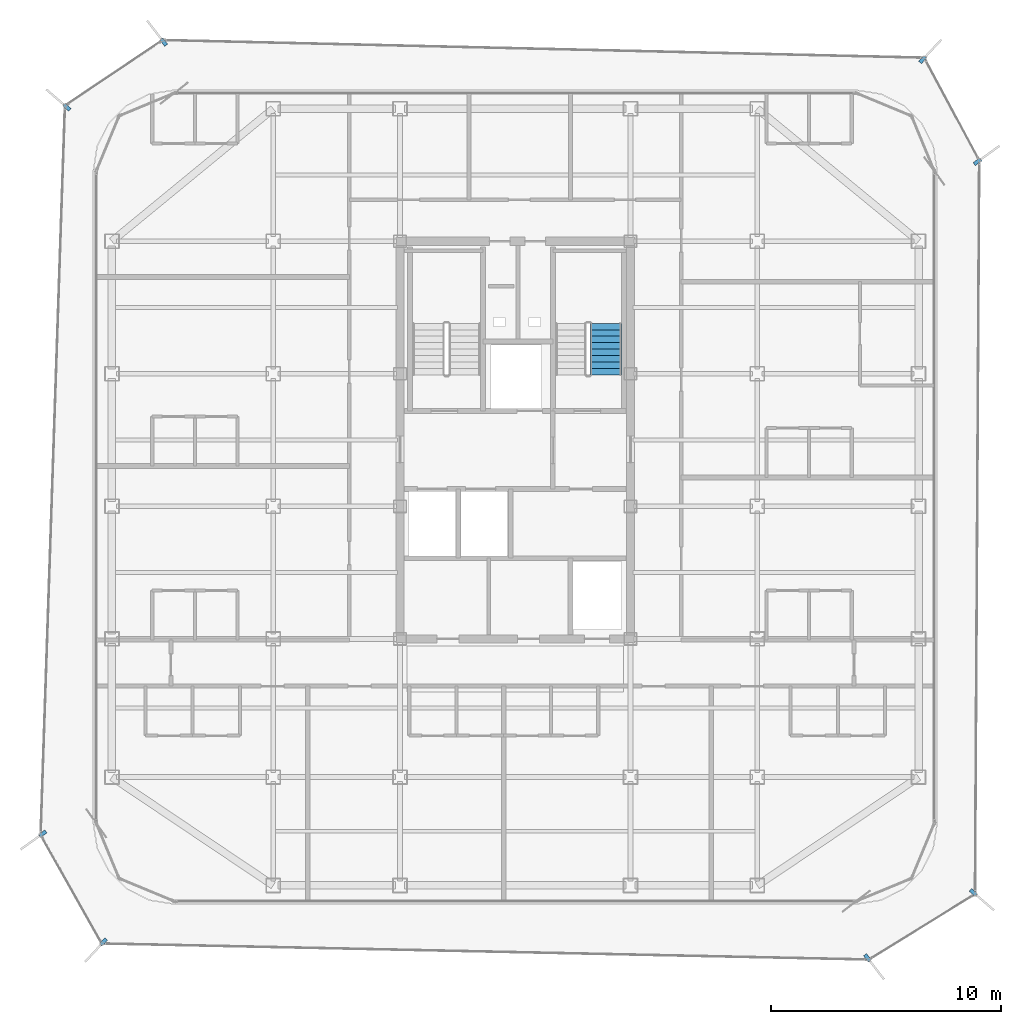
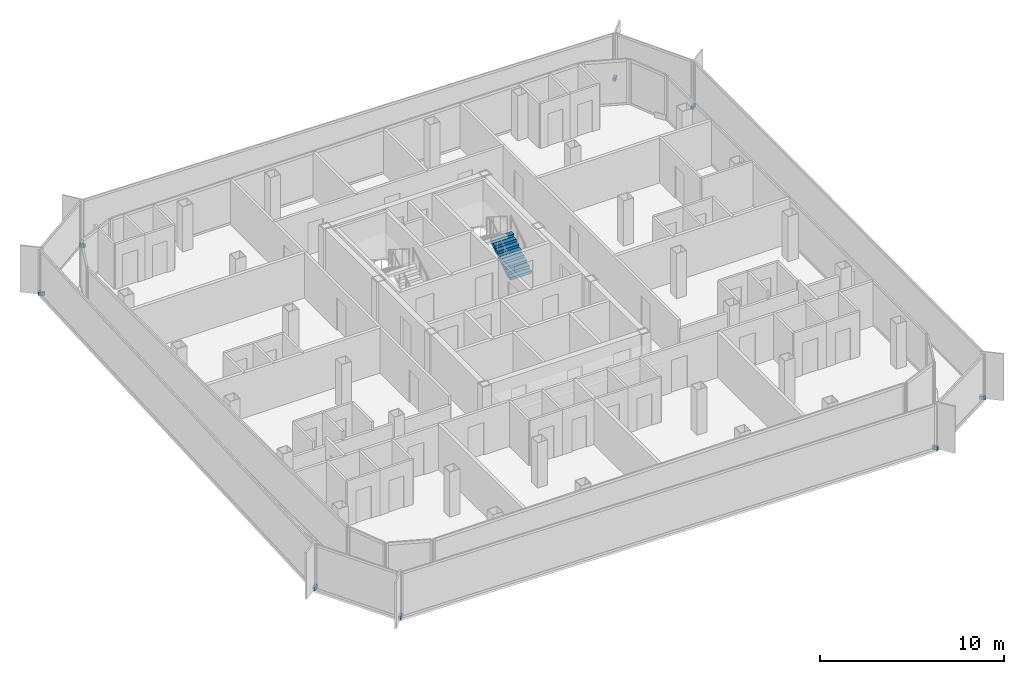
# One storey, part 13 of 16: 8 discrete accessories, 1 stair flight, 1 element without a shape of its own.
"""IFC4 building model written with IfcOpenShell, lengths in metres."""

from ifc_helpers import new_model, si_unit, direction, frame, origin, origin_2d, place, context, subcontext, project, spatial, polyline, rectangle, outline, extrude, source, transform, mapped, material, layer, layer_set, type_object, element, aggregate, save


model = new_model("IFC4")

# Units and contexts
model_context = context("Model", 3, precision=1e-05, world=origin(), true_north=direction((0.0, 1.0)))
body_context = subcontext(model_context, "Body", "Model", "MODEL_VIEW")
ifc_project = project(units=[si_unit("LENGTHUNIT", "METRE"), si_unit("AREAUNIT", "SQUARE_METRE"), si_unit("VOLUMEUNIT", "CUBIC_METRE"), si_unit("PLANEANGLEUNIT", "RADIAN"), si_unit("MASSUNIT", "GRAM", prefix="KILO")], contexts=[model_context])

# Site, building, storey
site_placement = place(None, origin())
site = spatial("IfcSite", under=ifc_project, at=site_placement, CompositionType="ELEMENT")
building_placement = place(site_placement, origin())
building = spatial("IfcBuilding", under=site, at=building_placement, Name="Kolveth Station Tower", CompositionType="ELEMENT")
storey_placement = place(building_placement, frame((0.0, 0.0, 232.89990234375)))
storey = spatial("IfcBuildingStorey", under=building, at=storey_placement, Name="L66", CompositionType="ELEMENT", Elevation=232.89990234375)

# Stair, stair flight
ifc_material_1 = material(Name="Concrete C40/50", Category="concrete")
stair_type = type_object("IfcStairType", Name="Stair_ST2", PredefinedType="HALF_TURN_STAIR", material=ifc_material_1)
stair_placement = place(storey_placement, origin())
stair = element("IfcStair", 1, at=stair_placement, inside=storey, type_object=stair_type, Name="L66 Tower Exit Stair ST2", PredefinedType="HALF_TURN_STAIR")
ifc_layer = layer(ifc_material_1, 0.179931640625)
ifc_layer_set = layer_set([ifc_layer], Name="Concrete C40/50")
stair_flight_type = type_object("IfcStairFlightType", Name="Flight_ST2", PredefinedType="STRAIGHT", material=ifc_layer_set)
stair_flight_placement = place(storey_placement, frame((27.425048828125, 22.949951171875, 0.0), z_axis=(0.0, 0.0, 1.0), x_axis=(0.0, 1.0, 0.0)))
stair_flight = element("IfcStairFlight", 2, at=stair_flight_placement, type_object=stair_flight_type, Name="ST2 flight 1", NumberOfRisers=9, NumberOfTreads=8, PredefinedType="STRAIGHT", RiserHeight=0.177777778, TreadLength=0.28, context=body_context, shape_type="SweptSolid", body=[
    extrude(outline(polyline([(0.0, 0.0), (0.0, 0.177734375), (0.280029296875, 0.177734375), (0.280029296875, 0.35546875), (0.56005859375, 0.35546875), (0.56005859375, 0.533447265625), (0.840087890625, 0.533447265625), (0.840087890625, 0.711181640625), (1.1201171875, 0.711181640625), (1.1201171875, 0.888916015625), (1.39990234375, 0.888916015625), (1.39990234375, 1.066650390625), (1.679931640625, 1.066650390625), (1.679931640625, 1.244384765625), (1.9599609375, 1.244384765625), (1.9599609375, 1.422119140625), (2.239990234375, 1.422119140625), (2.239990234375, 1.60009765625), (2.239990234375, 1.24462890625), (0.27978515625, 0.0), (0.0, 0.0)])), frame((0.0, 0.675048828125, 0.0), z_axis=(0.0, -1.0, 0.0), x_axis=(1.0, 0.0, 0.0)), (0.0, 0.0, 1.0), 1.35009765625),
])
aggregate(stair, [stair_flight])

# Discrete accessories
ifc_material_2 = material(Name="Steel S355", Category="steel")
discrete_accessory_type = type_object("IfcDiscreteAccessoryType", Name="Bracket_BK1", PredefinedType="BRACKET", material=ifc_material_2)
shared_shape = source(origin(), body_context, "Body", "SweptSolid", [
    extrude(rectangle(XDim=0.35009765625, YDim=0.159912109375, at=origin_2d()), origin(), (0.0, 0.0, 1.0), 0.219970703125),
])
for number, where, z_axis, x_axis, name in (
    (3, (38.783935546875, -2.341064453125, -0.06005859375), (0.0, 0.0, 1.0), (0.607375839723, -0.794414620535, 0.0), "L66 Double-Skin Radial Tie Bracket 1"),
    (4, (43.381103515625, 0.490966796875, -0.06005859375), (0.0, 0.0, 1.0), (0.756995055652, -0.65342060399, 0.0), "L66 Double-Skin Radial Tie Bracket 2"),
    (5, (43.556884765625, 32.199951171875, -0.06005859375), (0.0, 0.0, 1.0), (0.809427148707, 0.587220308688, 0.0), "L66 Double-Skin Radial Tie Bracket 3"),
    (6, (41.181884765625, 36.634033203125, -0.06005859375), (0.0, 0.0, 1.0), (0.68161533069, 0.731710694857, 0.0), "L66 Double-Skin Radial Tie Bracket 4"),
    (7, (8.2470703125, 37.39306640625, -0.06005859375), (0.0, 0.0, 1.0), (-0.611388936315, 0.791330252519, 0.0), "L66 Double-Skin Radial Tie Bracket 5"),
    (8, (4.0439453125, 34.56494140625, -0.06005859375), (0.0, 0.0, 1.0), (-0.754709580223, 0.656059028991, 0.0), "L66 Double-Skin Radial Tie Bracket 6"),
    (9, (2.99609375, 3.0439453125, -0.06005859375), (0.0, 0.0, 1.0), (-0.814520727071, -0.580134454392, 0.0), "L66 Double-Skin Radial Tie Bracket 7"),
    (10, (5.635986328125, -1.652099609375, -0.06005859375), (0.0, 0.0, 1.0), (-0.679185142834, -0.733966989553, 0.0), "L66 Double-Skin Radial Tie Bracket 8"),
):
    element("IfcDiscreteAccessory", number, at=place(storey_placement, frame(where, z_axis=z_axis, x_axis=x_axis)), inside=storey, type_object=discrete_accessory_type, Name=name, PredefinedType="BRACKET", context=body_context, shape_type="MappedRepresentation", body=[
        mapped(shared_shape, transform((0.0, 0.0, 0.0), x_axis=(1.0, 0.0, 0.0), y_axis=(0.0, 1.0, 0.0), z_axis=(0.0, 0.0, 1.0), scale=1.0)),
    ])

save(model, "model.ifc")
